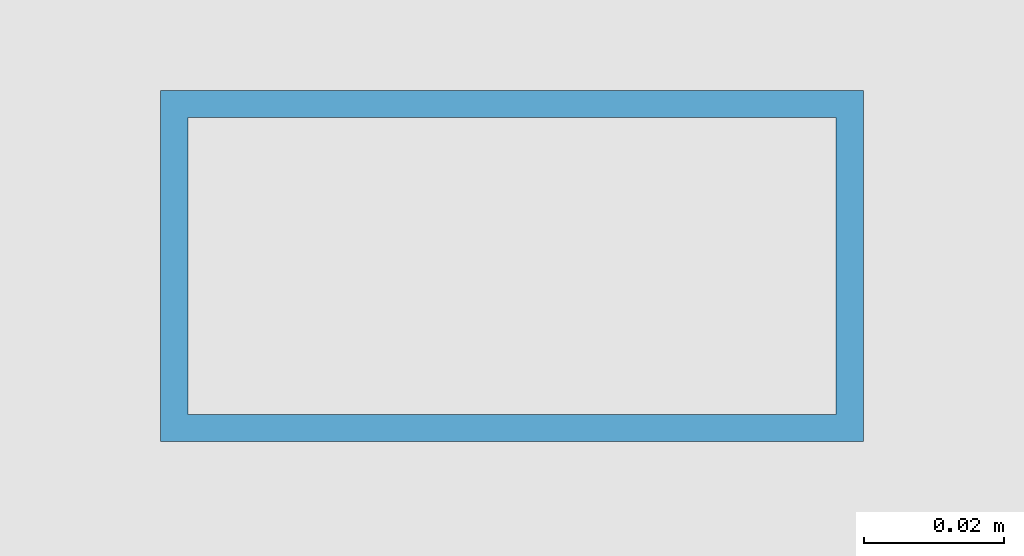
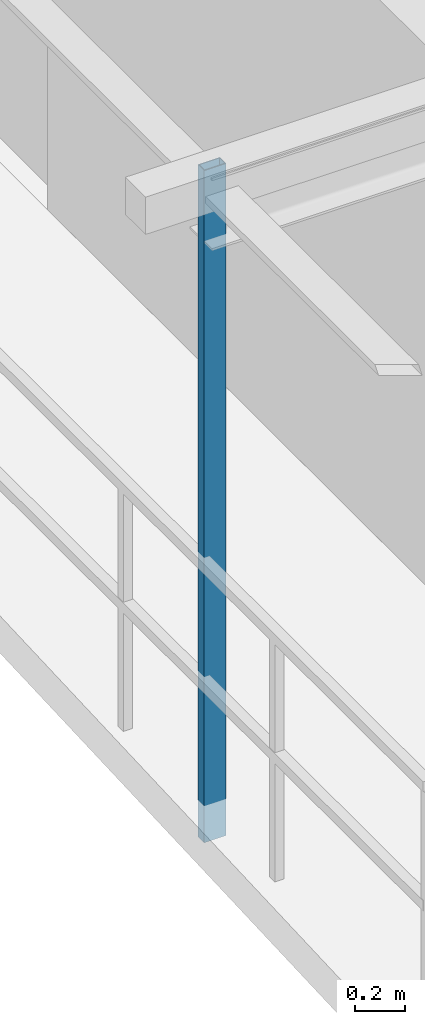
# One storey, part 3 of 16: 1 member.
"""IFC4 building model written with IfcOpenShell, lengths in metres."""

import ifcopenshell
import ifcopenshell.guid

model = None  # the IFC model being written
_history = None  # IfcOwnerHistory: only IFC2X3 demands one
_inside = {}  # id of a spatial element -> (the spatial element, [elements in it])
_under = {}  # id of a project, library or spatial element -> (it, [spatial elements below it])
_declared = {}  # id of a project -> (the project, [libraries it declares])
_typed = {}  # id of a type object -> (the type object, [elements of that type])
_made_of = {}  # id of a material, layer set ... -> (it, [elements and type objects made of it])


def new_model(schema):
    """Start an empty IFC model of exactly this schema.

    Asked for "IFC4X3", IfcOpenShell would pick the latest addendum, in which some entities
    have other attributes; the version numbers below select the first issue.
    IFC2X3 requires an IfcOwnerHistory on every rooted entity: one is made here for all.
    """
    global model, _history
    if schema == "IFC4X3":
        model = ifcopenshell.file(schema_version=(4, 3, 0, 0))
    else:
        model = ifcopenshell.file(schema=schema)
    _inside.clear()
    _under.clear()
    _declared.clear()
    _typed.clear()
    _made_of.clear()
    _history = None
    if model.schema == "IFC2X3":
        org = make("IfcOrganization", Name="unknown")
        user = make(
            "IfcPersonAndOrganization",
            ThePerson=make("IfcPerson", FamilyName="unknown"),
            TheOrganization=org,
        )
        app = make(
            "IfcApplication",
            ApplicationDeveloper=org,
            Version="unknown",
            ApplicationFullName="unknown",
            ApplicationIdentifier="unknown",
        )
        _history = make(
            "IfcOwnerHistory",
            OwningUser=user,
            OwningApplication=app,
            ChangeAction="ADDED",
            CreationDate=0,
        )
    return model


def make(cls, **values):
    """One entity of the class cls with the attributes given. An attribute that is None is left unset."""
    return model.create_entity(
        cls, **{name: value for name, value in values.items() if value is not None}
    )


def rooted(cls, **values):
    """An entity with a GlobalId (a new one), such as an element, a storey or a relation."""
    return make(cls, GlobalId=ifcopenshell.guid.new(), OwnerHistory=_history, **values)


def si_unit(unit_type, name, prefix=None):
    """IfcSIUnit, for example si_unit("LENGTHUNIT", "METRE", prefix="MILLI")."""
    return make("IfcSIUnit", UnitType=unit_type, Prefix=prefix, Name=name)


def assignment(units):
    """IfcUnitAssignment: the units of a project."""
    return None if units is None else make("IfcUnitAssignment", Units=units)


def point(xyz):
    """IfcCartesianPoint."""
    return None if xyz is None else make("IfcCartesianPoint", Coordinates=xyz)


def direction(xyz):
    """IfcDirection."""
    return None if xyz is None else make("IfcDirection", DirectionRatios=xyz)


def frame(location, z_axis=None, x_axis=None):
    """IfcAxis2Placement3D, a coordinate frame: its origin and axes. An axis left out is left unset."""
    return make(
        "IfcAxis2Placement3D",
        Location=point(location),
        Axis=direction(z_axis),
        RefDirection=direction(x_axis),
    )


def frame_2d(location, x_axis=None):
    """IfcAxis2Placement2D, a coordinate frame in the plane: its origin and x axis."""
    return make(
        "IfcAxis2Placement2D", Location=point(location), RefDirection=direction(x_axis)
    )


def origin():
    """The frame at (0, 0, 0) with its axes left unset."""
    return frame((0.0, 0.0, 0.0))


def origin_2d():
    """The frame at (0, 0) in the plane with its x axis left unset."""
    return frame_2d((0.0, 0.0))


def place(relative_to, where):
    """IfcLocalPlacement: puts the frame where relative to a parent placement (None: the world)."""
    return make(
        "IfcLocalPlacement", PlacementRelTo=relative_to, RelativePlacement=where
    )


def context(
    kind, dimensions, precision=None, world=None, true_north=None, identifier=None
):
    """IfcGeometricRepresentationContext, for example the 3D "Model" context."""
    return make(
        "IfcGeometricRepresentationContext",
        ContextIdentifier=identifier,
        ContextType=kind,
        CoordinateSpaceDimension=dimensions,
        Precision=precision,
        WorldCoordinateSystem=world,
        TrueNorth=true_north,
    )


def subcontext(parent, identifier, kind, view, scale=None):
    """IfcGeometricRepresentationSubContext, for example "Body" below "Model"."""
    return make(
        "IfcGeometricRepresentationSubContext",
        ContextIdentifier=identifier,
        ContextType=kind,
        ParentContext=parent,
        TargetScale=scale,
        TargetView=view,
    )


def project(units=None, contexts=None):
    """IfcProject with its units and contexts."""
    return rooted(
        "IfcProject",
        Name="project",
        RepresentationContexts=contexts,
        UnitsInContext=assignment(units),
    )


def spatial(cls, under=None, at=None, **own):
    """A site, building, storey or space (cls), placed at a placement, below another one or the project."""
    s = rooted(cls, ObjectPlacement=at, **own)
    if under is not None:
        _under.setdefault(under.id(), (under, []))[1].append(s)
    return s


def profile(cls, at=None, kind="AREA", **sizes):
    """A parametric profile (cls). Its sizes go by their IFC names, for example OverallWidth=200.0."""
    return make(cls, ProfileType=kind, Position=at, **sizes)


def hollow_rectangle(**sizes):
    """IfcRectangleHollowProfileDef."""
    return profile("IfcRectangleHollowProfileDef", **sizes)


def extrude(swept, where, along, depth):
    """IfcExtrudedAreaSolid: the profile swept, set in the frame where, extruded along a direction by depth."""
    return make(
        "IfcExtrudedAreaSolid",
        SweptArea=swept,
        Position=where,
        ExtrudedDirection=direction(along),
        Depth=depth,
    )


def shape(context_of_items, identifier, shape_type, items):
    """IfcShapeRepresentation: the items that make up one representation, for example the "Body"."""
    return make(
        "IfcShapeRepresentation",
        ContextOfItems=context_of_items,
        RepresentationIdentifier=identifier,
        RepresentationType=shape_type,
        Items=items,
    )


def source(mapping_origin, context_of_items, identifier, shape_type, items):
    """IfcRepresentationMap: a shape defined once, which mapped items show again and again."""
    return make(
        "IfcRepresentationMap",
        MappingOrigin=mapping_origin,
        MappedRepresentation=shape(context_of_items, identifier, shape_type, items),
    )


def transform(
    local_origin,
    x_axis=None,
    y_axis=None,
    z_axis=None,
    scale=None,
    scale2=None,
    scale3=None,
    uniform=True,
):
    """IfcCartesianTransformationOperator3D, or its non-uniform kind. x_axis, y_axis, z_axis: its Axis1, 2, 3."""
    if uniform:
        return make(
            "IfcCartesianTransformationOperator3D",
            Axis1=direction(x_axis),
            Axis2=direction(y_axis),
            LocalOrigin=point(local_origin),
            Scale=scale,
            Axis3=direction(z_axis),
        )
    return make(
        "IfcCartesianTransformationOperator3DnonUniform",
        Axis1=direction(x_axis),
        Axis2=direction(y_axis),
        LocalOrigin=point(local_origin),
        Scale=scale,
        Axis3=direction(z_axis),
        Scale2=scale2,
        Scale3=scale3,
    )


def mapped(mapping_source, mapping_target):
    """IfcMappedItem: shows the shape of a source again, moved by a transform."""
    return make(
        "IfcMappedItem", MappingSource=mapping_source, MappingTarget=mapping_target
    )


def material(Name=None, Category=None):
    """IfcMaterial."""
    return make("IfcMaterial", Name=Name, Category=Category)


def material_profile(
    of_material, cross_section, Name=None, Category=None, Priority=None
):
    """IfcMaterialProfile: a cross section and its material."""
    return make(
        "IfcMaterialProfile",
        Name=Name,
        Material=of_material,
        Profile=cross_section,
        Priority=Priority,
        Category=Category,
    )


def profile_set(profiles, Name=None, composite=None):
    """IfcMaterialProfileSet."""
    return make(
        "IfcMaterialProfileSet",
        Name=Name,
        MaterialProfiles=profiles,
        CompositeProfile=composite,
    )


def made_of(thing, what):
    """Note that an element or type object is made of a material, layer set ...; save() writes the relation."""
    if what is not None:
        _made_of.setdefault(what.id(), (what, []))[1].append(thing)
    return thing


def type_object(cls, material=None, **own):
    """A type object (cls), such as IfcWallType, which elements share."""
    return made_of(rooted(cls, **own), material)


def element(
    cls,
    number,
    at=None,
    inside=None,
    cuts=None,
    type_object=None,
    material=None,
    context=None,
    identifier="Body",
    shape_type=None,
    held_by="IfcProductDefinitionShape",
    body=None,
    shapes=None,
    **own,
):
    """One element of the class cls, such as IfcWall. Its Tag is "e" and its number.

    at: its placement. inside: the storey or other place that contains it. cuts: it is an
    opening in that element (IfcRelVoidsElement). A single representation is given by context,
    identifier, shape_type and body (its items); several are given by shapes. held_by: the class
    of the entity that holds the representations. save() writes the other relations.
    """
    e = rooted(cls, Tag="e%d" % number, ObjectPlacement=at, **own)
    if body is not None:
        shapes = [shape(context, identifier, shape_type, body)]
    if shapes is not None:
        e.Representation = make(held_by, Representations=shapes)
    if inside is not None:
        _inside.setdefault(inside.id(), (inside, []))[1].append(e)
    if cuts is not None:
        rooted(
            "IfcRelVoidsElement", RelatingBuildingElement=cuts, RelatedOpeningElement=e
        )
    if type_object is not None:
        _typed.setdefault(type_object.id(), (type_object, []))[1].append(e)
    return made_of(e, material)


def aggregate(whole, parts):
    """IfcRelAggregates: a whole, such as a stair, and the parts it consists of."""
    return rooted("IfcRelAggregates", RelatingObject=whole, RelatedObjects=parts)


def save(model, path):
    """Write the relations noted so far, then the file.

    IfcRelAggregates (storeys below a building ...), IfcRelContainedInSpatialStructure (elements
    in a storey), IfcRelDefinesByType, IfcRelAssociatesMaterial and IfcRelDeclares: one each for
    every whole, place, type object, material and project.
    """
    for whole, parts in _under.values():
        aggregate(whole, parts)
    for where, things in _inside.values():
        rooted(
            "IfcRelContainedInSpatialStructure",
            RelatedElements=things,
            RelatingStructure=where,
        )
    for kind, things in _typed.values():
        rooted("IfcRelDefinesByType", RelatedObjects=things, RelatingType=kind)
    for what, things in _made_of.values():
        rooted("IfcRelAssociatesMaterial", RelatedObjects=things, RelatingMaterial=what)
    for by, libraries in _declared.values():
        rooted("IfcRelDeclares", RelatingContext=by, RelatedDefinitions=libraries)
    model.write(path)


model = new_model("IFC4")

# Units and contexts
model_context = context("Model", 3, precision=1e-05, world=origin(), true_north=direction((0.0, 1.0)))
body_context = subcontext(model_context, "Body", "Model", "MODEL_VIEW")
ifc_project = project(units=[si_unit("LENGTHUNIT", "METRE"), si_unit("AREAUNIT", "SQUARE_METRE"), si_unit("VOLUMEUNIT", "CUBIC_METRE"), si_unit("PLANEANGLEUNIT", "RADIAN"), si_unit("MASSUNIT", "GRAM", prefix="KILO"), si_unit("THERMODYNAMICTEMPERATUREUNIT", "KELVIN"), si_unit("POWERUNIT", "WATT")], contexts=[model_context])

# Site, building, storey
site_placement = place(None, origin())
site = spatial("IfcSite", under=ifc_project, at=site_placement, CompositionType="ELEMENT")
building_placement = place(site_placement, origin())
building = spatial("IfcBuilding", under=site, at=building_placement, Name="Qiaomeng Ring Towers", CompositionType="ELEMENT")
storey_placement = place(building_placement, frame((0.0, 0.0, 203.5)))
storey = spatial("IfcBuildingStorey", under=building, at=storey_placement, Name="L59", CompositionType="ELEMENT", Elevation=203.5)

# Member
ifc_material = material(Name="Stainless steel 316", Category="steel")
ifc_material_profile = material_profile(ifc_material, hollow_rectangle(XDim=0.050048828125, YDim=0.10009765625, WallThickness=0.00390625, at=origin_2d()), Name="SS TRELLIS 100x50")
ifc_profile_set = profile_set([ifc_material_profile], Name="Stainless steel 316")
member_type = type_object("IfcMemberType", Name="ARC-TR-POST2", PredefinedType="STUD", material=ifc_profile_set)
shared_shape = source(origin(), body_context, "Body", "SweptSolid", [
    extrude(hollow_rectangle(XDim=0.050048828125, YDim=0.10009765625, WallThickness=0.00390625, at=origin_2d()), origin(), (0.0, 0.0, 1.0), 3.25),
])
member_placement = place(storey_placement, frame((0.72998046875, 20.0, -0.179931640625), z_axis=(0.0, 0.0, 1.0), x_axis=(0.0, 1.0, 0.0)))
element("IfcMember", 1, at=member_placement, inside=storey, type_object=member_type, Name="L59 Outer Ventilated Trellis Post W", PredefinedType="STUD", context=body_context, shape_type="MappedRepresentation", body=[
    mapped(shared_shape, transform((0.0, 0.0, 0.0), x_axis=(1.0, 0.0, 0.0), y_axis=(0.0, 1.0, 0.0), z_axis=(0.0, 0.0, 1.0), scale=1.0)),
])

save(model, "model.ifc")
